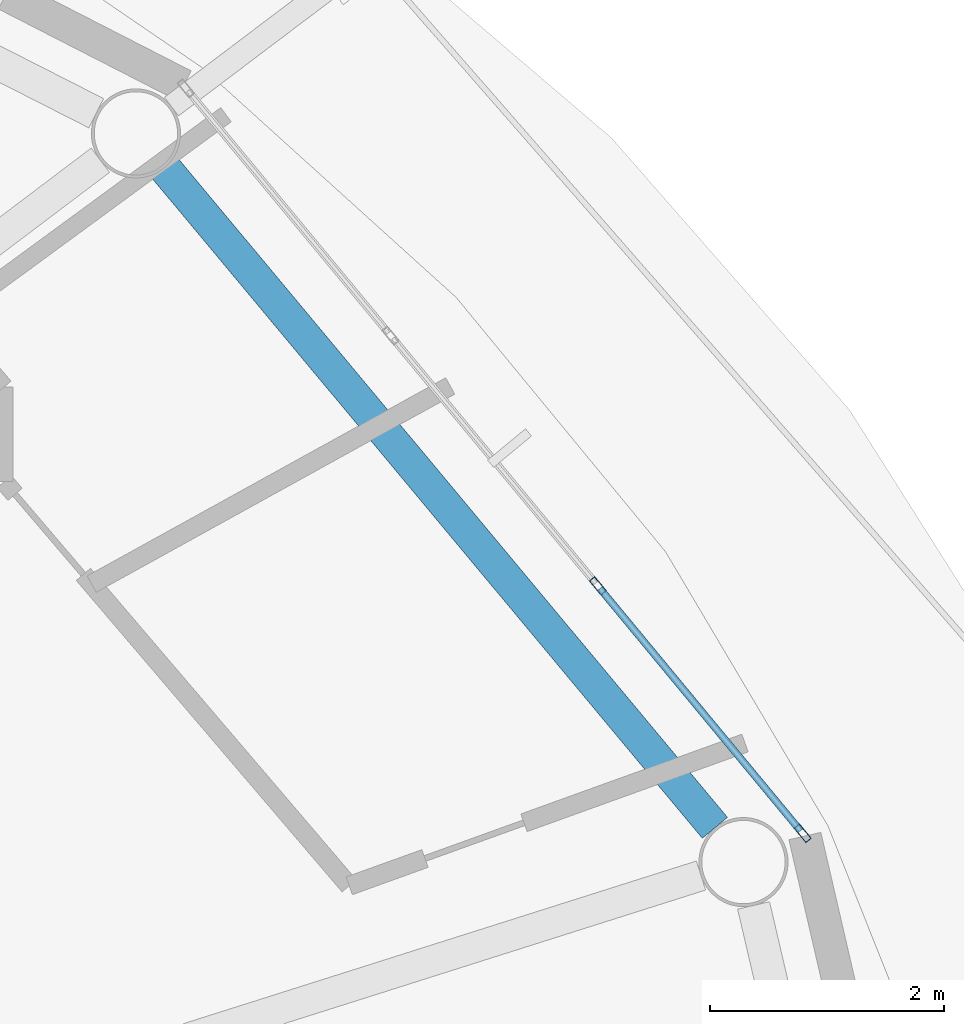
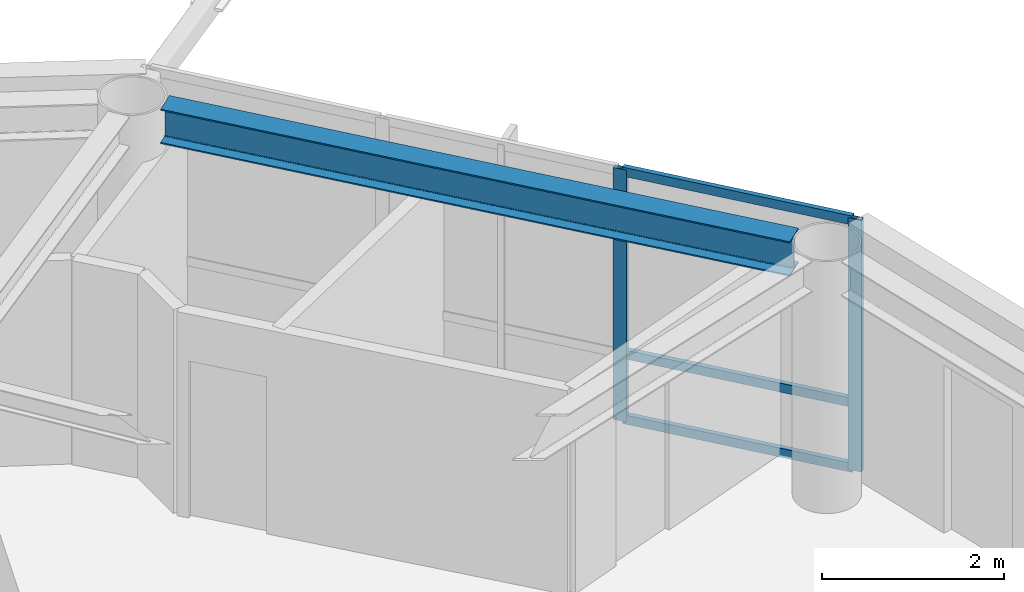
# One storey, part 7 of 23: 5 members, 1 beam, 1 element without a shape of its own.
"""IFC4 building model written with IfcOpenShell, lengths in metres."""

from ifc_helpers import new_model, si_unit, direction, frame, origin, origin_2d, place, context, subcontext, project, spatial, hollow_rectangle, i_section, extrude, material, layer, layer_set, material_profile, profile_set, type_object, element, aggregate, save


model = new_model("IFC4")

# Units and contexts
model_context = context("Model", 3, precision=1e-05, world=origin(), true_north=direction((0.0, 1.0)))
body_context = subcontext(model_context, "Body", "Model", "MODEL_VIEW")
ifc_project = project(units=[si_unit("LENGTHUNIT", "METRE"), si_unit("AREAUNIT", "SQUARE_METRE"), si_unit("VOLUMEUNIT", "CUBIC_METRE"), si_unit("PLANEANGLEUNIT", "RADIAN"), si_unit("MASSUNIT", "GRAM", prefix="KILO")], contexts=[model_context])

# Site, building, storey
site_placement = place(None, origin())
site = spatial("IfcSite", under=ifc_project, at=site_placement, CompositionType="ELEMENT")
building_placement = place(site_placement, origin())
building = spatial("IfcBuilding", under=site, at=building_placement, Name="Sarneth Arch Tower", CompositionType="ELEMENT")
storey_placement = place(building_placement, frame((0.0, 0.0, 273.0)))
storey = spatial("IfcBuildingStorey", under=building, at=storey_placement, Name="L70", CompositionType="ELEMENT", Elevation=273.0)

# Beam
ifc_material_1 = material(Name="Steel S355", Category="steel")
ifc_material_profile_1 = material_profile(ifc_material_1, i_section(OverallWidth=0.280029296875, OverallDepth=0.462890625, WebThickness=0.0107421875, FlangeThickness=0.017333984375, FilletRadius=0.01806640625, at=origin_2d()), Name="W460x113")
ifc_profile_set_1 = profile_set([ifc_material_profile_1], Name="Steel S355")
beam_type = type_object("IfcBeamType", Name="BM-RAD-460A", PredefinedType="BEAM", material=ifc_profile_set_1)
beam_placement = place(storey_placement, frame((70.9248046875, 49.64013671875, 3.138427734375), z_axis=(-0.640377192996, 0.768060577487, 0.0), x_axis=(-0.768060577487, -0.640377192996, 0.0)))
element("IfcBeam", 1, at=beam_placement, inside=storey, type_object=beam_type, Name="L70 Perimeter spandrel beam 02", PredefinedType="BEAM", context=body_context, shape_type="SweptSolid", body=[
    extrude(i_section(OverallWidth=0.280029296875, OverallDepth=0.462890625, WebThickness=0.0107421875, FlangeThickness=0.017333984375, FilletRadius=0.01806640625, at=origin_2d()), origin(), (0.0, 0.0, 1.0), 7.34814453125),
])

# Curtain wall, members
ifc_material_2 = material(Name="Anodised aluminium Type AA25 and solar-control low-e laminated IGU", Category="aluminium")
ifc_layer = layer(ifc_material_2, 0.179931640625)
ifc_layer_set = layer_set([ifc_layer], Name="Anodised aluminium Type AA25 and solar-control low-e laminated IGU")
curtain_wall_type = type_object("IfcCurtainWallType", Name="CW-RES-HIGH", PredefinedType="NOTDEFINED", material=ifc_layer_set)
curtain_wall_placement = place(storey_placement, origin())
curtain_wall = element("IfcCurtainWall", 2, at=curtain_wall_placement, inside=storey, type_object=curtain_wall_type, Name="L70 Unitised curtain wall facet 02", PredefinedType="NOTDEFINED")
ifc_material_3 = material(Name="Anodised Aluminium 6063-T6", Category="aluminium")
ifc_material_profile_2 = material_profile(ifc_material_3, hollow_rectangle(XDim=0.06005859375, YDim=0.159912109375, WallThickness=0.00390625, at=origin_2d()), Name="AL-MULL-160x60x4")
ifc_profile_set_2 = profile_set([ifc_material_profile_2], Name="Anodised Aluminium 6063-T6")
member_type_1 = type_object("IfcMemberType", Name="CW-MULLION", PredefinedType="MULLION", material=ifc_profile_set_2)
member_1_placement = place(storey_placement, frame((71.674560546875, 49.592529296875, 0.0), z_axis=(0.0, 0.0, 1.0), x_axis=(-0.770359245933, -0.637610094184, 0.0)))
member_1 = element("IfcMember", 3, at=member_1_placement, type_object=member_type_1, Name="CW-SYS-6 mullion 1", PredefinedType="MULLION", context=body_context, shape_type="SweptSolid", body=[
    extrude(hollow_rectangle(XDim=0.06005859375, YDim=0.159912109375, WallThickness=0.00390625, at=origin_2d()), origin(), (0.0, 0.0, 1.0), 3.3701171875),
])
member_2_placement = place(storey_placement, frame((69.92333984375, 51.70849609375, 0.0), z_axis=(0.0, 0.0, 1.0), x_axis=(-0.770359245933, -0.637610094184, 0.0)))
member_2 = element("IfcMember", 4, at=member_2_placement, type_object=member_type_1, Name="CW-SYS-6 mullion 2", PredefinedType="MULLION", context=body_context, shape_type="SweptSolid", body=[
    extrude(hollow_rectangle(XDim=0.06005859375, YDim=0.159912109375, WallThickness=0.00390625, at=origin_2d()), origin(), (0.0, 0.0, 1.0), 3.3701171875),
])
ifc_material_4 = material(Name="Anodised Aluminium 6063-T6", Category="aluminium")
ifc_material_profile_3 = material_profile(ifc_material_4, hollow_rectangle(XDim=0.06005859375, YDim=0.1201171875, WallThickness=0.00390625, at=origin_2d()), Name="AL-TRAN-120x60x4")
ifc_profile_set_3 = profile_set([ifc_material_profile_3], Name="Anodised Aluminium 6063-T6")
member_type_2 = type_object("IfcMemberType", Name="CW-TRANSOM", PredefinedType="USERDEFINED", material=ifc_profile_set_3)
member_3_placement = place(storey_placement, frame((71.655517578125, 49.61572265625, 0.030029296875), z_axis=(-0.637651400067, 0.770325056059, 0.0), x_axis=(-0.770325056059, -0.637651400067, 0.0)))
member_3 = element("IfcMember", 5, at=member_3_placement, type_object=member_type_2, Name="CW-SYS-6 transom 1.1", ObjectType="TRANSOM", PredefinedType="USERDEFINED", context=body_context, shape_type="SweptSolid", body=[
    extrude(hollow_rectangle(XDim=0.06005859375, YDim=0.1201171875, WallThickness=0.00390625, at=origin_2d()), origin(), (0.0, 0.0, 1.0), 2.6865234375),
])
member_4_placement = place(storey_placement, frame((71.655517578125, 49.61572265625, 0.89990234375), z_axis=(-0.637651400067, 0.770325056059, 0.0), x_axis=(-0.770325056059, -0.637651400067, 0.0)))
member_4 = element("IfcMember", 6, at=member_4_placement, type_object=member_type_2, Name="CW-SYS-6 transom 1.2", ObjectType="TRANSOM", PredefinedType="USERDEFINED", context=body_context, shape_type="SweptSolid", body=[
    extrude(hollow_rectangle(XDim=0.06005859375, YDim=0.1201171875, WallThickness=0.00390625, at=origin_2d()), origin(), (0.0, 0.0, 1.0), 2.6865234375),
])
member_5_placement = place(storey_placement, frame((71.655517578125, 49.61572265625, 3.340087890625), z_axis=(-0.637651400067, 0.770325056059, 0.0), x_axis=(-0.770325056059, -0.637651400067, 0.0)))
member_5 = element("IfcMember", 7, at=member_5_placement, type_object=member_type_2, Name="CW-SYS-6 transom 1.3", ObjectType="TRANSOM", PredefinedType="USERDEFINED", context=body_context, shape_type="SweptSolid", body=[
    extrude(hollow_rectangle(XDim=0.06005859375, YDim=0.1201171875, WallThickness=0.00390625, at=origin_2d()), origin(), (0.0, 0.0, 1.0), 2.6865234375),
])
aggregate(curtain_wall, [member_1, member_2, member_3, member_4, member_5])

save(model, "model.ifc")
